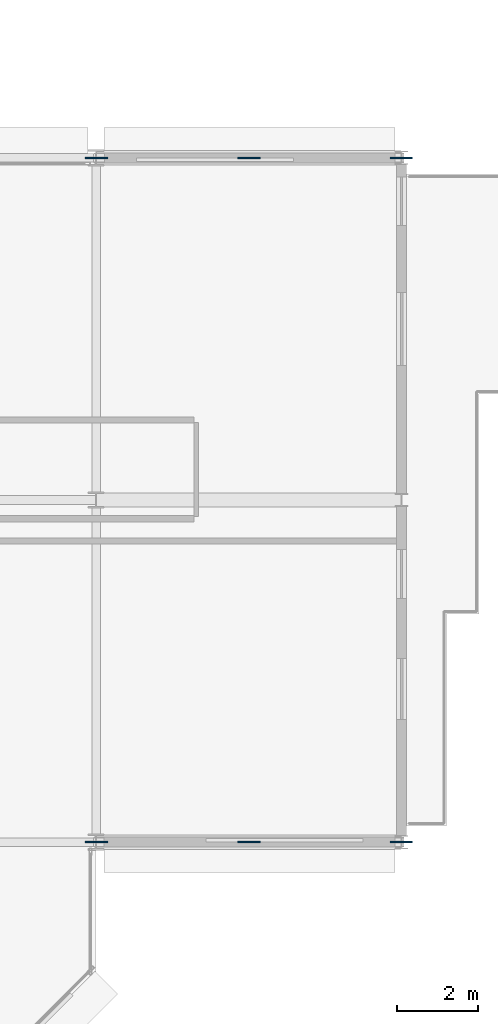
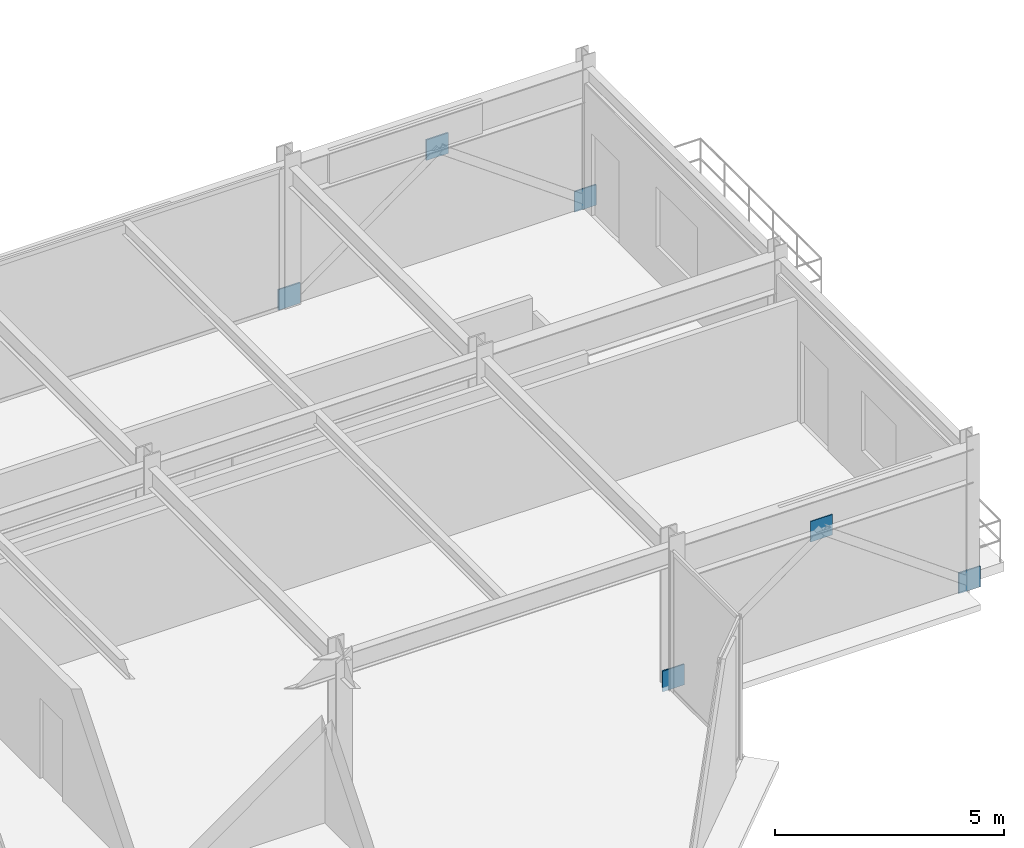
# One storey, part 32 of 40: 6 plates.
"""IFC4 building model written with IfcOpenShell, lengths in metres."""

import ifcopenshell
import ifcopenshell.guid

model = None  # the IFC model being written
_history = None  # IfcOwnerHistory: only IFC2X3 demands one
_inside = {}  # id of a spatial element -> (the spatial element, [elements in it])
_under = {}  # id of a project, library or spatial element -> (it, [spatial elements below it])
_declared = {}  # id of a project -> (the project, [libraries it declares])
_typed = {}  # id of a type object -> (the type object, [elements of that type])
_made_of = {}  # id of a material, layer set ... -> (it, [elements and type objects made of it])


def new_model(schema):
    """Start an empty IFC model of exactly this schema.

    Asked for "IFC4X3", IfcOpenShell would pick the latest addendum, in which some entities
    have other attributes; the version numbers below select the first issue.
    IFC2X3 requires an IfcOwnerHistory on every rooted entity: one is made here for all.
    """
    global model, _history
    if schema == "IFC4X3":
        model = ifcopenshell.file(schema_version=(4, 3, 0, 0))
    else:
        model = ifcopenshell.file(schema=schema)
    _inside.clear()
    _under.clear()
    _declared.clear()
    _typed.clear()
    _made_of.clear()
    _history = None
    if model.schema == "IFC2X3":
        org = make("IfcOrganization", Name="unknown")
        user = make(
            "IfcPersonAndOrganization",
            ThePerson=make("IfcPerson", FamilyName="unknown"),
            TheOrganization=org,
        )
        app = make(
            "IfcApplication",
            ApplicationDeveloper=org,
            Version="unknown",
            ApplicationFullName="unknown",
            ApplicationIdentifier="unknown",
        )
        _history = make(
            "IfcOwnerHistory",
            OwningUser=user,
            OwningApplication=app,
            ChangeAction="ADDED",
            CreationDate=0,
        )
    return model


def make(cls, **values):
    """One entity of the class cls with the attributes given. An attribute that is None is left unset."""
    return model.create_entity(
        cls, **{name: value for name, value in values.items() if value is not None}
    )


def rooted(cls, **values):
    """An entity with a GlobalId (a new one), such as an element, a storey or a relation."""
    return make(cls, GlobalId=ifcopenshell.guid.new(), OwnerHistory=_history, **values)


def si_unit(unit_type, name, prefix=None):
    """IfcSIUnit, for example si_unit("LENGTHUNIT", "METRE", prefix="MILLI")."""
    return make("IfcSIUnit", UnitType=unit_type, Prefix=prefix, Name=name)


def assignment(units):
    """IfcUnitAssignment: the units of a project."""
    return None if units is None else make("IfcUnitAssignment", Units=units)


def point(xyz):
    """IfcCartesianPoint."""
    return None if xyz is None else make("IfcCartesianPoint", Coordinates=xyz)


def direction(xyz):
    """IfcDirection."""
    return None if xyz is None else make("IfcDirection", DirectionRatios=xyz)


def frame(location, z_axis=None, x_axis=None):
    """IfcAxis2Placement3D, a coordinate frame: its origin and axes. An axis left out is left unset."""
    return make(
        "IfcAxis2Placement3D",
        Location=point(location),
        Axis=direction(z_axis),
        RefDirection=direction(x_axis),
    )


def frame_2d(location, x_axis=None):
    """IfcAxis2Placement2D, a coordinate frame in the plane: its origin and x axis."""
    return make(
        "IfcAxis2Placement2D", Location=point(location), RefDirection=direction(x_axis)
    )


def origin():
    """The frame at (0, 0, 0) with its axes left unset."""
    return frame((0.0, 0.0, 0.0))


def origin_2d():
    """The frame at (0, 0) in the plane with its x axis left unset."""
    return frame_2d((0.0, 0.0))


def place(relative_to, where):
    """IfcLocalPlacement: puts the frame where relative to a parent placement (None: the world)."""
    return make(
        "IfcLocalPlacement", PlacementRelTo=relative_to, RelativePlacement=where
    )


def context(
    kind, dimensions, precision=None, world=None, true_north=None, identifier=None
):
    """IfcGeometricRepresentationContext, for example the 3D "Model" context."""
    return make(
        "IfcGeometricRepresentationContext",
        ContextIdentifier=identifier,
        ContextType=kind,
        CoordinateSpaceDimension=dimensions,
        Precision=precision,
        WorldCoordinateSystem=world,
        TrueNorth=true_north,
    )


def subcontext(parent, identifier, kind, view, scale=None):
    """IfcGeometricRepresentationSubContext, for example "Body" below "Model"."""
    return make(
        "IfcGeometricRepresentationSubContext",
        ContextIdentifier=identifier,
        ContextType=kind,
        ParentContext=parent,
        TargetScale=scale,
        TargetView=view,
    )


def project(units=None, contexts=None):
    """IfcProject with its units and contexts."""
    return rooted(
        "IfcProject",
        Name="project",
        RepresentationContexts=contexts,
        UnitsInContext=assignment(units),
    )


def spatial(cls, under=None, at=None, **own):
    """A site, building, storey or space (cls), placed at a placement, below another one or the project."""
    s = rooted(cls, ObjectPlacement=at, **own)
    if under is not None:
        _under.setdefault(under.id(), (under, []))[1].append(s)
    return s


def profile(cls, at=None, kind="AREA", **sizes):
    """A parametric profile (cls). Its sizes go by their IFC names, for example OverallWidth=200.0."""
    return make(cls, ProfileType=kind, Position=at, **sizes)


def rectangle(**sizes):
    """IfcRectangleProfileDef."""
    return profile("IfcRectangleProfileDef", **sizes)


def extrude(swept, where, along, depth):
    """IfcExtrudedAreaSolid: the profile swept, set in the frame where, extruded along a direction by depth."""
    return make(
        "IfcExtrudedAreaSolid",
        SweptArea=swept,
        Position=where,
        ExtrudedDirection=direction(along),
        Depth=depth,
    )


def shape(context_of_items, identifier, shape_type, items):
    """IfcShapeRepresentation: the items that make up one representation, for example the "Body"."""
    return make(
        "IfcShapeRepresentation",
        ContextOfItems=context_of_items,
        RepresentationIdentifier=identifier,
        RepresentationType=shape_type,
        Items=items,
    )


def material(Name=None, Category=None):
    """IfcMaterial."""
    return make("IfcMaterial", Name=Name, Category=Category)


def layer(
    of_material, thickness, ventilated=None, Name=None, Category=None, Priority=None
):
    """IfcMaterialLayer: one layer of a wall or slab, of a material (None: an air gap)."""
    return make(
        "IfcMaterialLayer",
        Material=of_material,
        LayerThickness=thickness,
        IsVentilated=ventilated,
        Name=Name,
        Category=Category,
        Priority=Priority,
    )


def layer_set(layers, Name=None):
    """IfcMaterialLayerSet."""
    return make("IfcMaterialLayerSet", MaterialLayers=layers, LayerSetName=Name)


def made_of(thing, what):
    """Note that an element or type object is made of a material, layer set ...; save() writes the relation."""
    if what is not None:
        _made_of.setdefault(what.id(), (what, []))[1].append(thing)
    return thing


def type_object(cls, material=None, **own):
    """A type object (cls), such as IfcWallType, which elements share."""
    return made_of(rooted(cls, **own), material)


def element(
    cls,
    number,
    at=None,
    inside=None,
    cuts=None,
    type_object=None,
    material=None,
    context=None,
    identifier="Body",
    shape_type=None,
    held_by="IfcProductDefinitionShape",
    body=None,
    shapes=None,
    **own,
):
    """One element of the class cls, such as IfcWall. Its Tag is "e" and its number.

    at: its placement. inside: the storey or other place that contains it. cuts: it is an
    opening in that element (IfcRelVoidsElement). A single representation is given by context,
    identifier, shape_type and body (its items); several are given by shapes. held_by: the class
    of the entity that holds the representations. save() writes the other relations.
    """
    e = rooted(cls, Tag="e%d" % number, ObjectPlacement=at, **own)
    if body is not None:
        shapes = [shape(context, identifier, shape_type, body)]
    if shapes is not None:
        e.Representation = make(held_by, Representations=shapes)
    if inside is not None:
        _inside.setdefault(inside.id(), (inside, []))[1].append(e)
    if cuts is not None:
        rooted(
            "IfcRelVoidsElement", RelatingBuildingElement=cuts, RelatedOpeningElement=e
        )
    if type_object is not None:
        _typed.setdefault(type_object.id(), (type_object, []))[1].append(e)
    return made_of(e, material)


def aggregate(whole, parts):
    """IfcRelAggregates: a whole, such as a stair, and the parts it consists of."""
    return rooted("IfcRelAggregates", RelatingObject=whole, RelatedObjects=parts)


def save(model, path):
    """Write the relations noted so far, then the file.

    IfcRelAggregates (storeys below a building ...), IfcRelContainedInSpatialStructure (elements
    in a storey), IfcRelDefinesByType, IfcRelAssociatesMaterial and IfcRelDeclares: one each for
    every whole, place, type object, material and project.
    """
    for whole, parts in _under.values():
        aggregate(whole, parts)
    for where, things in _inside.values():
        rooted(
            "IfcRelContainedInSpatialStructure",
            RelatedElements=things,
            RelatingStructure=where,
        )
    for kind, things in _typed.values():
        rooted("IfcRelDefinesByType", RelatedObjects=things, RelatingType=kind)
    for what, things in _made_of.values():
        rooted("IfcRelAssociatesMaterial", RelatedObjects=things, RelatingMaterial=what)
    for by, libraries in _declared.values():
        rooted("IfcRelDeclares", RelatingContext=by, RelatedDefinitions=libraries)
    model.write(path)


model = new_model("IFC4")

# Units and contexts
model_context = context("Model", 3, precision=1e-05, world=origin(), true_north=direction((0.0, 1.0)))
body_context = subcontext(model_context, "Body", "Model", "MODEL_VIEW")
ifc_project = project(units=[si_unit("LENGTHUNIT", "METRE"), si_unit("AREAUNIT", "SQUARE_METRE"), si_unit("VOLUMEUNIT", "CUBIC_METRE"), si_unit("PLANEANGLEUNIT", "RADIAN"), si_unit("MASSUNIT", "GRAM", prefix="KILO")], contexts=[model_context])

# Site, building, storey
site_placement = place(None, origin())
site = spatial("IfcSite", under=ifc_project, at=site_placement, CompositionType="ELEMENT")
building_placement = place(site_placement, origin())
building = spatial("IfcBuilding", under=site, at=building_placement, Name="Nerrivon Quay Data Exchange", CompositionType="ELEMENT")
storey_placement = place(building_placement, frame((0.0, 0.0, 109.0)))
storey = spatial("IfcBuildingStorey", under=building, at=storey_placement, Name="L25", CompositionType="ELEMENT", Elevation=109.0)

# Plates
ifc_material = material(Name="Steel Grade 350", Category="steel")
ifc_layer = layer(ifc_material, 0.0400390625)
ifc_layer_set = layer_set([ifc_layer], Name="Steel Grade 350")
plate_type = type_object("IfcPlateType", Name="PLT-TN01", PredefinedType="USERDEFINED", material=ifc_layer_set)
for number, where, z_axis, x_axis, name in (
    (1, (50.41259765625, 8.39990234375, -0.115234375), (0.0, 0.0, 1.0), (1.0, 0.0, 0.0), "L25 node plate 32"),
    (2, (54.14990234375, 8.39990234375, 2.5751953125), (0.0, 0.0, 1.0), (1.0, 0.0, 0.0), "L25 node plate 33"),
    (3, (57.89208984375, 8.39990234375, -0.115234375), (0.0, 0.0, 1.0), (1.0, 0.0, 0.0), "L25 node plate 34"),
    (4, (50.41259765625, 25.199951171875, -0.115234375), (0.0, 0.0, 1.0), (1.0, 0.0, 0.0), "L25 node plate 35"),
    (5, (54.14990234375, 25.199951171875, 2.5751953125), (0.0, 0.0, 1.0), (1.0, 0.0, 0.0), "L25 node plate 36"),
    (6, (57.89208984375, 25.199951171875, -0.115234375), (0.0, 0.0, 1.0), (1.0, 0.0, 0.0), "L25 node plate 37"),
):
    element("IfcPlate", number, at=place(storey_placement, frame(where, z_axis=z_axis, x_axis=x_axis)), inside=storey, type_object=plate_type, Name=name, ObjectType="GUSSET PLATE", PredefinedType="USERDEFINED", context=body_context, shape_type="SweptSolid", body=[
        extrude(rectangle(XDim=0.550048828125, YDim=0.035888671875, at=origin_2d()), origin(), (0.0, 0.0, 1.0), 0.550048828125),
    ])

save(model, "model.ifc")
